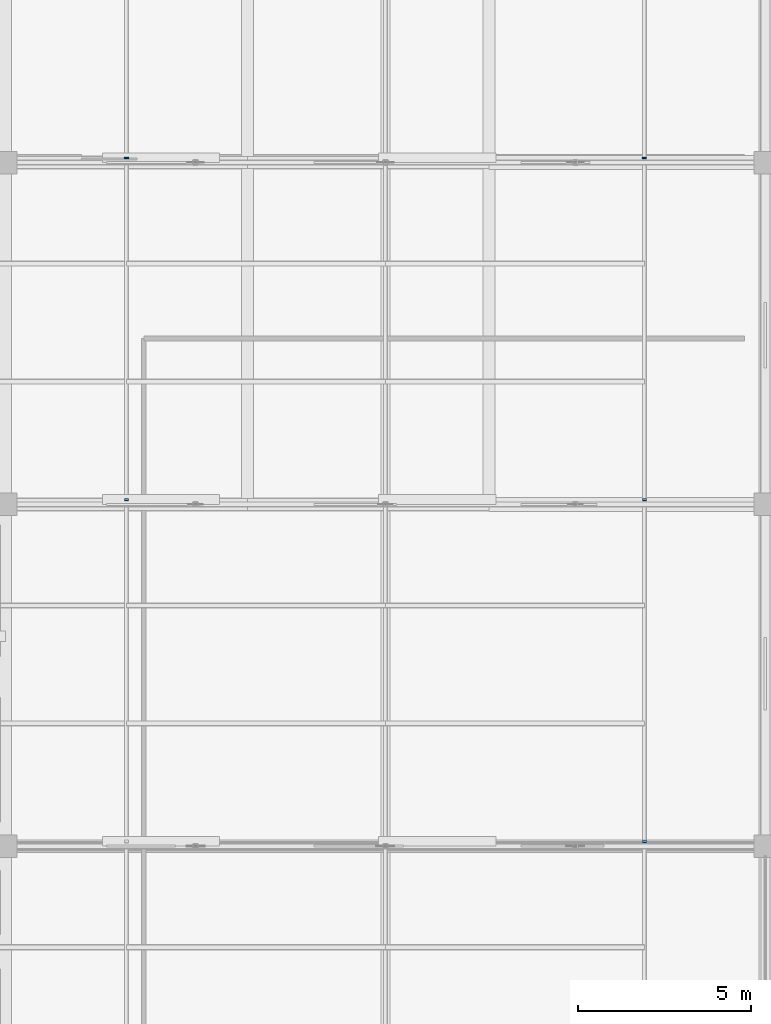
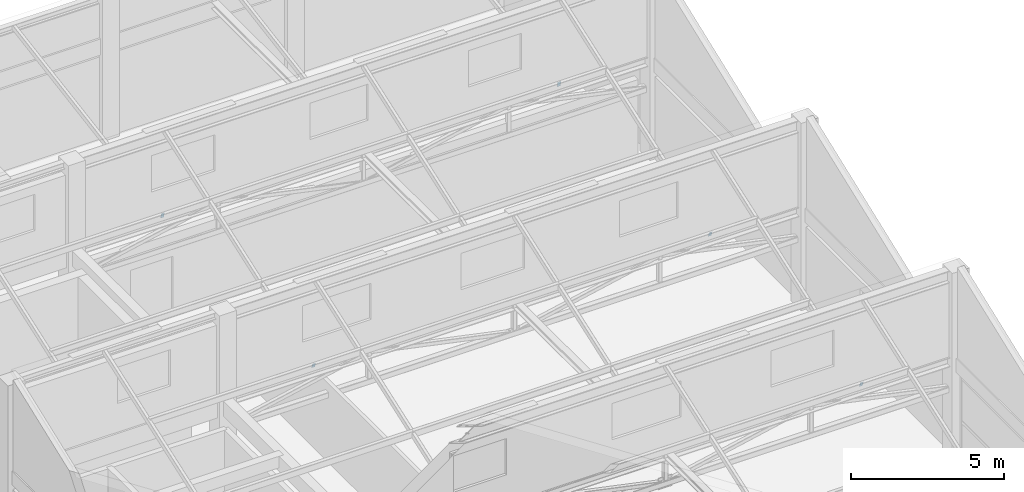
# One storey, part 34 of 35: 5 discrete accessories.
"""IFC4 building model written with IfcOpenShell, lengths in metres."""

import ifcopenshell
import ifcopenshell.guid

model = None  # the IFC model being written
_history = None  # IfcOwnerHistory: only IFC2X3 demands one
_inside = {}  # id of a spatial element -> (the spatial element, [elements in it])
_under = {}  # id of a project, library or spatial element -> (it, [spatial elements below it])
_declared = {}  # id of a project -> (the project, [libraries it declares])
_typed = {}  # id of a type object -> (the type object, [elements of that type])
_made_of = {}  # id of a material, layer set ... -> (it, [elements and type objects made of it])


def new_model(schema):
    """Start an empty IFC model of exactly this schema.

    Asked for "IFC4X3", IfcOpenShell would pick the latest addendum, in which some entities
    have other attributes; the version numbers below select the first issue.
    IFC2X3 requires an IfcOwnerHistory on every rooted entity: one is made here for all.
    """
    global model, _history
    if schema == "IFC4X3":
        model = ifcopenshell.file(schema_version=(4, 3, 0, 0))
    else:
        model = ifcopenshell.file(schema=schema)
    _inside.clear()
    _under.clear()
    _declared.clear()
    _typed.clear()
    _made_of.clear()
    _history = None
    if model.schema == "IFC2X3":
        org = make("IfcOrganization", Name="unknown")
        user = make(
            "IfcPersonAndOrganization",
            ThePerson=make("IfcPerson", FamilyName="unknown"),
            TheOrganization=org,
        )
        app = make(
            "IfcApplication",
            ApplicationDeveloper=org,
            Version="unknown",
            ApplicationFullName="unknown",
            ApplicationIdentifier="unknown",
        )
        _history = make(
            "IfcOwnerHistory",
            OwningUser=user,
            OwningApplication=app,
            ChangeAction="ADDED",
            CreationDate=0,
        )
    return model


def make(cls, **values):
    """One entity of the class cls with the attributes given. An attribute that is None is left unset."""
    return model.create_entity(
        cls, **{name: value for name, value in values.items() if value is not None}
    )


def rooted(cls, **values):
    """An entity with a GlobalId (a new one), such as an element, a storey or a relation."""
    return make(cls, GlobalId=ifcopenshell.guid.new(), OwnerHistory=_history, **values)


def si_unit(unit_type, name, prefix=None):
    """IfcSIUnit, for example si_unit("LENGTHUNIT", "METRE", prefix="MILLI")."""
    return make("IfcSIUnit", UnitType=unit_type, Prefix=prefix, Name=name)


def assignment(units):
    """IfcUnitAssignment: the units of a project."""
    return None if units is None else make("IfcUnitAssignment", Units=units)


def point(xyz):
    """IfcCartesianPoint."""
    return None if xyz is None else make("IfcCartesianPoint", Coordinates=xyz)


def direction(xyz):
    """IfcDirection."""
    return None if xyz is None else make("IfcDirection", DirectionRatios=xyz)


def frame(location, z_axis=None, x_axis=None):
    """IfcAxis2Placement3D, a coordinate frame: its origin and axes. An axis left out is left unset."""
    return make(
        "IfcAxis2Placement3D",
        Location=point(location),
        Axis=direction(z_axis),
        RefDirection=direction(x_axis),
    )


def origin():
    """The frame at (0, 0, 0) with its axes left unset."""
    return frame((0.0, 0.0, 0.0))


def place(relative_to, where):
    """IfcLocalPlacement: puts the frame where relative to a parent placement (None: the world)."""
    return make(
        "IfcLocalPlacement", PlacementRelTo=relative_to, RelativePlacement=where
    )


def context(
    kind, dimensions, precision=None, world=None, true_north=None, identifier=None
):
    """IfcGeometricRepresentationContext, for example the 3D "Model" context."""
    return make(
        "IfcGeometricRepresentationContext",
        ContextIdentifier=identifier,
        ContextType=kind,
        CoordinateSpaceDimension=dimensions,
        Precision=precision,
        WorldCoordinateSystem=world,
        TrueNorth=true_north,
    )


def subcontext(parent, identifier, kind, view, scale=None):
    """IfcGeometricRepresentationSubContext, for example "Body" below "Model"."""
    return make(
        "IfcGeometricRepresentationSubContext",
        ContextIdentifier=identifier,
        ContextType=kind,
        ParentContext=parent,
        TargetScale=scale,
        TargetView=view,
    )


def project(units=None, contexts=None):
    """IfcProject with its units and contexts."""
    return rooted(
        "IfcProject",
        Name="project",
        RepresentationContexts=contexts,
        UnitsInContext=assignment(units),
    )


def spatial(cls, under=None, at=None, **own):
    """A site, building, storey or space (cls), placed at a placement, below another one or the project."""
    s = rooted(cls, ObjectPlacement=at, **own)
    if under is not None:
        _under.setdefault(under.id(), (under, []))[1].append(s)
    return s


def polyline(points):
    """IfcPolyline through the points."""
    return make("IfcPolyline", Points=[point(p) for p in points])


def outline(outer, holes=None, kind="AREA"):
    """IfcArbitraryClosedProfileDef: a profile drawn as a closed curve; with holes, ...WithVoids."""
    if holes is None:
        return make("IfcArbitraryClosedProfileDef", ProfileType=kind, OuterCurve=outer)
    return make(
        "IfcArbitraryProfileDefWithVoids",
        ProfileType=kind,
        OuterCurve=outer,
        InnerCurves=holes,
    )


def extrude(swept, where, along, depth):
    """IfcExtrudedAreaSolid: the profile swept, set in the frame where, extruded along a direction by depth."""
    return make(
        "IfcExtrudedAreaSolid",
        SweptArea=swept,
        Position=where,
        ExtrudedDirection=direction(along),
        Depth=depth,
    )


def shape(context_of_items, identifier, shape_type, items):
    """IfcShapeRepresentation: the items that make up one representation, for example the "Body"."""
    return make(
        "IfcShapeRepresentation",
        ContextOfItems=context_of_items,
        RepresentationIdentifier=identifier,
        RepresentationType=shape_type,
        Items=items,
    )


def material(Name=None, Category=None):
    """IfcMaterial."""
    return make("IfcMaterial", Name=Name, Category=Category)


def layer(
    of_material, thickness, ventilated=None, Name=None, Category=None, Priority=None
):
    """IfcMaterialLayer: one layer of a wall or slab, of a material (None: an air gap)."""
    return make(
        "IfcMaterialLayer",
        Material=of_material,
        LayerThickness=thickness,
        IsVentilated=ventilated,
        Name=Name,
        Category=Category,
        Priority=Priority,
    )


def layer_set(layers, Name=None):
    """IfcMaterialLayerSet."""
    return make("IfcMaterialLayerSet", MaterialLayers=layers, LayerSetName=Name)


def made_of(thing, what):
    """Note that an element or type object is made of a material, layer set ...; save() writes the relation."""
    if what is not None:
        _made_of.setdefault(what.id(), (what, []))[1].append(thing)
    return thing


def type_object(cls, material=None, **own):
    """A type object (cls), such as IfcWallType, which elements share."""
    return made_of(rooted(cls, **own), material)


def element(
    cls,
    number,
    at=None,
    inside=None,
    cuts=None,
    type_object=None,
    material=None,
    context=None,
    identifier="Body",
    shape_type=None,
    held_by="IfcProductDefinitionShape",
    body=None,
    shapes=None,
    **own,
):
    """One element of the class cls, such as IfcWall. Its Tag is "e" and its number.

    at: its placement. inside: the storey or other place that contains it. cuts: it is an
    opening in that element (IfcRelVoidsElement). A single representation is given by context,
    identifier, shape_type and body (its items); several are given by shapes. held_by: the class
    of the entity that holds the representations. save() writes the other relations.
    """
    e = rooted(cls, Tag="e%d" % number, ObjectPlacement=at, **own)
    if body is not None:
        shapes = [shape(context, identifier, shape_type, body)]
    if shapes is not None:
        e.Representation = make(held_by, Representations=shapes)
    if inside is not None:
        _inside.setdefault(inside.id(), (inside, []))[1].append(e)
    if cuts is not None:
        rooted(
            "IfcRelVoidsElement", RelatingBuildingElement=cuts, RelatedOpeningElement=e
        )
    if type_object is not None:
        _typed.setdefault(type_object.id(), (type_object, []))[1].append(e)
    return made_of(e, material)


def aggregate(whole, parts):
    """IfcRelAggregates: a whole, such as a stair, and the parts it consists of."""
    return rooted("IfcRelAggregates", RelatingObject=whole, RelatedObjects=parts)


def save(model, path):
    """Write the relations noted so far, then the file.

    IfcRelAggregates (storeys below a building ...), IfcRelContainedInSpatialStructure (elements
    in a storey), IfcRelDefinesByType, IfcRelAssociatesMaterial and IfcRelDeclares: one each for
    every whole, place, type object, material and project.
    """
    for whole, parts in _under.values():
        aggregate(whole, parts)
    for where, things in _inside.values():
        rooted(
            "IfcRelContainedInSpatialStructure",
            RelatedElements=things,
            RelatingStructure=where,
        )
    for kind, things in _typed.values():
        rooted("IfcRelDefinesByType", RelatedObjects=things, RelatingType=kind)
    for what, things in _made_of.values():
        rooted("IfcRelAssociatesMaterial", RelatedObjects=things, RelatingMaterial=what)
    for by, libraries in _declared.values():
        rooted("IfcRelDeclares", RelatingContext=by, RelatedDefinitions=libraries)
    model.write(path)


model = new_model("IFC4")

# Units and contexts
model_context = context("Model", 3, precision=1e-05, world=origin(), true_north=direction((0.0, 1.0)))
body_context = subcontext(model_context, "Body", "Model", "MODEL_VIEW")
ifc_project = project(units=[si_unit("LENGTHUNIT", "METRE"), si_unit("AREAUNIT", "SQUARE_METRE"), si_unit("VOLUMEUNIT", "CUBIC_METRE"), si_unit("PLANEANGLEUNIT", "RADIAN"), si_unit("MASSUNIT", "GRAM", prefix="KILO")], contexts=[model_context])

# Site, building, storey
site_placement = place(None, origin())
site = spatial("IfcSite", under=ifc_project, at=site_placement, CompositionType="ELEMENT")
building_placement = place(site_placement, origin())
building = spatial("IfcBuilding", under=site, at=building_placement, Name="Sillaruma Civic Art Gallery", CompositionType="ELEMENT")
storey_placement = place(building_placement, frame((0.0, 0.0, 74.4599609375)))
storey = spatial("IfcBuildingStorey", under=building, at=storey_placement, Name="L15", CompositionType="ELEMENT", Elevation=74.4599609375)

# Discrete accessories
ifc_material = material(Name="Structural Steel ASTM A500 Gr.C", Category="steel")
ifc_layer = layer(ifc_material, 0.010009765625, Name="Structural Steel ASTM A500 Gr.C")
ifc_layer_set = layer_set([ifc_layer], Name="Structural Steel ASTM A500 Gr.C")
discrete_accessory_type = type_object("IfcDiscreteAccessoryType", Name="ACC-EP-HSS200", PredefinedType="USERDEFINED", material=ifc_layer_set)
for number, where, z_axis, x_axis, name in (
    (1, (73.56005859375, 89.256591796875, 3.801513671875), (0.0, 0.986327860446, 0.164794877674), (-1.0, 0.0, 0.0), "Rafter Eave End Plate (N-W)"),
    (2, (88.56005859375, 89.256591796875, 3.801513671875), (0.0, 0.986327860446, 0.164794877674), (-1.0, 0.0, 0.0), "Rafter Eave End Plate (N-E)"),
):
    element("IfcDiscreteAccessory", number, at=place(storey_placement, frame(where, z_axis=z_axis, x_axis=x_axis)), inside=storey, type_object=discrete_accessory_type, Name=name, ObjectType="END PLATE", PredefinedType="USERDEFINED", context=body_context, shape_type="SweptSolid", body=[
        extrude(outline(polyline([(0.0, 0.0), (0.1201171875, 0.0), (0.1201171875, 0.2000000536441731), (0.0, 0.2000000536441731), (0.0, 0.0)])), origin(), (0.0, 0.0, -1.0), 0.010009765625),
    ])
discrete_accessory_placement = place(storey_placement, frame((88.56005859375, 69.473388671875, 3.8056640625), z_axis=(0.0, 0.942539258014, 0.334095416165), x_axis=(-1.0, 0.0, 0.0)))
element("IfcDiscreteAccessory", 3, at=discrete_accessory_placement, inside=storey, type_object=discrete_accessory_type, Name="Rafter Eave End Plate (4-E)", ObjectType="END PLATE", PredefinedType="USERDEFINED", context=body_context, shape_type="SweptSolid", body=[
    extrude(outline(polyline([(0.0, 0.0), (0.1201171875, 0.0), (0.1201171875, 0.20022582775244457), (0.0, 0.20022582775244457), (0.0, 0.0)])), origin(), (0.0, 0.0, -1.0), 0.010009765625),
])
for number, where, z_axis, x_axis, name in (
    (4, (73.56005859375, 79.373291015625, 3.8056640625), (0.0, 0.942922754758, 0.333011529171), (-1.0, 0.0, 0.0), "Rafter Eave End Plate (5-W)"),
    (5, (88.56005859375, 79.373291015625, 3.8056640625), (0.0, 0.942922754758, 0.333011529171), (-1.0, 0.0, 0.0), "Rafter Eave End Plate (5-E)"),
):
    element("IfcDiscreteAccessory", number, at=place(storey_placement, frame(where, z_axis=z_axis, x_axis=x_axis)), inside=storey, type_object=discrete_accessory_type, Name=name, ObjectType="END PLATE", PredefinedType="USERDEFINED", context=body_context, shape_type="SweptSolid", body=[
        extrude(outline(polyline([(0.0, 0.0), (0.1201171875, 0.0), (0.1201171875, 0.20014439377224502), (0.0, 0.20014439377224502), (0.0, 0.0)])), origin(), (0.0, 0.0, -1.0), 0.010009765625),
    ])

save(model, "model.ifc")
